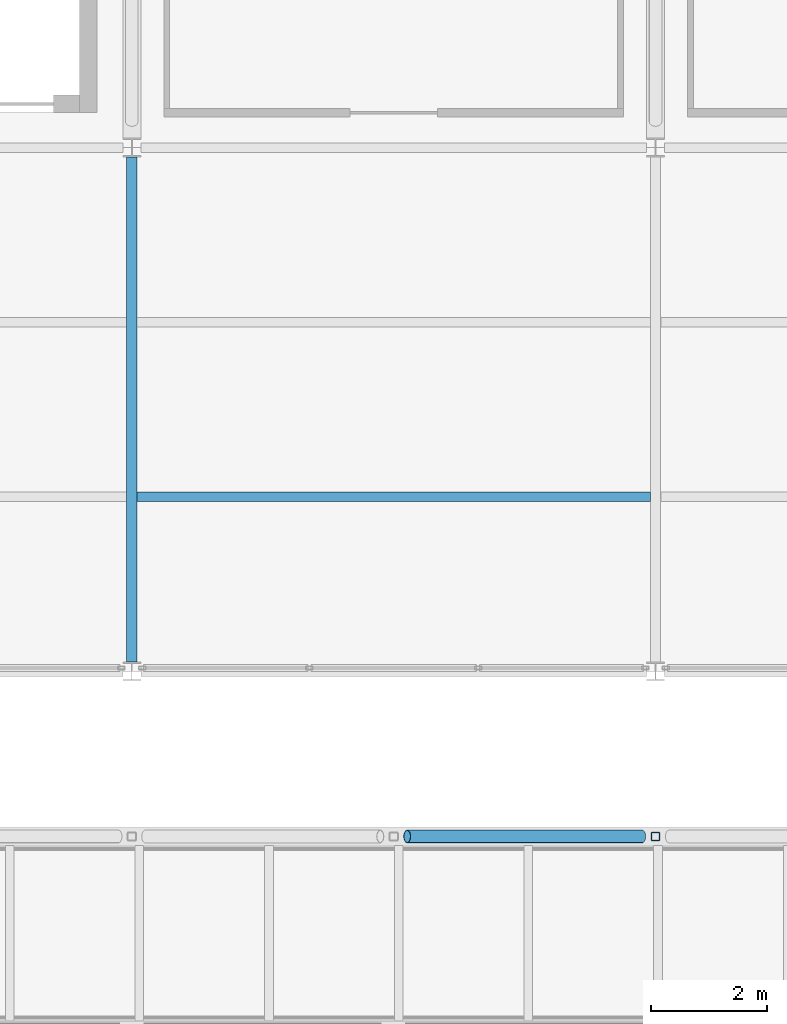
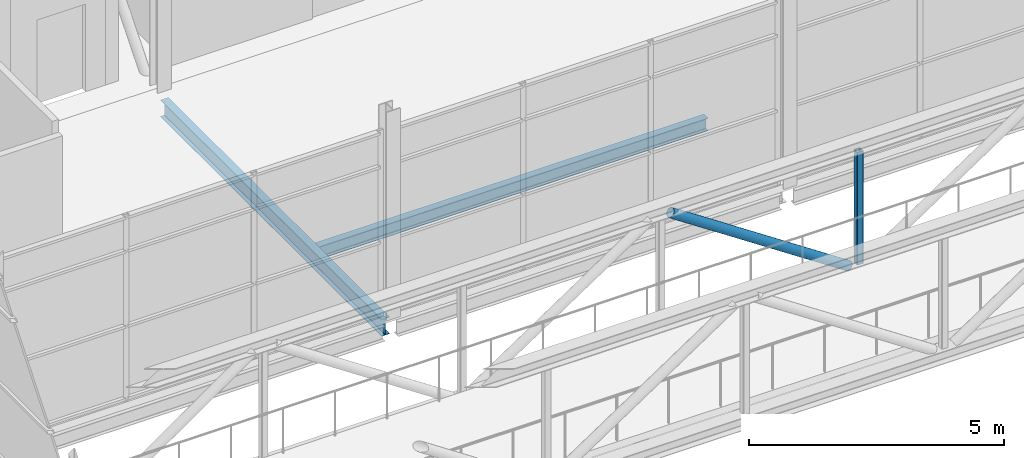
# One storey, part 29 of 94: 2 beams, 2 members.
"""IFC4 building model written with IfcOpenShell, lengths in metres."""

import ifcopenshell
import ifcopenshell.guid

model = None  # the IFC model being written
_history = None  # IfcOwnerHistory: only IFC2X3 demands one
_inside = {}  # id of a spatial element -> (the spatial element, [elements in it])
_under = {}  # id of a project, library or spatial element -> (it, [spatial elements below it])
_declared = {}  # id of a project -> (the project, [libraries it declares])
_typed = {}  # id of a type object -> (the type object, [elements of that type])
_made_of = {}  # id of a material, layer set ... -> (it, [elements and type objects made of it])


def new_model(schema):
    """Start an empty IFC model of exactly this schema.

    Asked for "IFC4X3", IfcOpenShell would pick the latest addendum, in which some entities
    have other attributes; the version numbers below select the first issue.
    IFC2X3 requires an IfcOwnerHistory on every rooted entity: one is made here for all.
    """
    global model, _history
    if schema == "IFC4X3":
        model = ifcopenshell.file(schema_version=(4, 3, 0, 0))
    else:
        model = ifcopenshell.file(schema=schema)
    _inside.clear()
    _under.clear()
    _declared.clear()
    _typed.clear()
    _made_of.clear()
    _history = None
    if model.schema == "IFC2X3":
        org = make("IfcOrganization", Name="unknown")
        user = make(
            "IfcPersonAndOrganization",
            ThePerson=make("IfcPerson", FamilyName="unknown"),
            TheOrganization=org,
        )
        app = make(
            "IfcApplication",
            ApplicationDeveloper=org,
            Version="unknown",
            ApplicationFullName="unknown",
            ApplicationIdentifier="unknown",
        )
        _history = make(
            "IfcOwnerHistory",
            OwningUser=user,
            OwningApplication=app,
            ChangeAction="ADDED",
            CreationDate=0,
        )
    return model


def make(cls, **values):
    """One entity of the class cls with the attributes given. An attribute that is None is left unset."""
    return model.create_entity(
        cls, **{name: value for name, value in values.items() if value is not None}
    )


def rooted(cls, **values):
    """An entity with a GlobalId (a new one), such as an element, a storey or a relation."""
    return make(cls, GlobalId=ifcopenshell.guid.new(), OwnerHistory=_history, **values)


def si_unit(unit_type, name, prefix=None):
    """IfcSIUnit, for example si_unit("LENGTHUNIT", "METRE", prefix="MILLI")."""
    return make("IfcSIUnit", UnitType=unit_type, Prefix=prefix, Name=name)


def assignment(units):
    """IfcUnitAssignment: the units of a project."""
    return None if units is None else make("IfcUnitAssignment", Units=units)


def point(xyz):
    """IfcCartesianPoint."""
    return None if xyz is None else make("IfcCartesianPoint", Coordinates=xyz)


def direction(xyz):
    """IfcDirection."""
    return None if xyz is None else make("IfcDirection", DirectionRatios=xyz)


def frame(location, z_axis=None, x_axis=None):
    """IfcAxis2Placement3D, a coordinate frame: its origin and axes. An axis left out is left unset."""
    return make(
        "IfcAxis2Placement3D",
        Location=point(location),
        Axis=direction(z_axis),
        RefDirection=direction(x_axis),
    )


def frame_2d(location, x_axis=None):
    """IfcAxis2Placement2D, a coordinate frame in the plane: its origin and x axis."""
    return make(
        "IfcAxis2Placement2D", Location=point(location), RefDirection=direction(x_axis)
    )


def origin():
    """The frame at (0, 0, 0) with its axes left unset."""
    return frame((0.0, 0.0, 0.0))


def origin_2d():
    """The frame at (0, 0) in the plane with its x axis left unset."""
    return frame_2d((0.0, 0.0))


def place(relative_to, where):
    """IfcLocalPlacement: puts the frame where relative to a parent placement (None: the world)."""
    return make(
        "IfcLocalPlacement", PlacementRelTo=relative_to, RelativePlacement=where
    )


def context(
    kind, dimensions, precision=None, world=None, true_north=None, identifier=None
):
    """IfcGeometricRepresentationContext, for example the 3D "Model" context."""
    return make(
        "IfcGeometricRepresentationContext",
        ContextIdentifier=identifier,
        ContextType=kind,
        CoordinateSpaceDimension=dimensions,
        Precision=precision,
        WorldCoordinateSystem=world,
        TrueNorth=true_north,
    )


def subcontext(parent, identifier, kind, view, scale=None):
    """IfcGeometricRepresentationSubContext, for example "Body" below "Model"."""
    return make(
        "IfcGeometricRepresentationSubContext",
        ContextIdentifier=identifier,
        ContextType=kind,
        ParentContext=parent,
        TargetScale=scale,
        TargetView=view,
    )


def project(units=None, contexts=None):
    """IfcProject with its units and contexts."""
    return rooted(
        "IfcProject",
        Name="project",
        RepresentationContexts=contexts,
        UnitsInContext=assignment(units),
    )


def spatial(cls, under=None, at=None, **own):
    """A site, building, storey or space (cls), placed at a placement, below another one or the project."""
    s = rooted(cls, ObjectPlacement=at, **own)
    if under is not None:
        _under.setdefault(under.id(), (under, []))[1].append(s)
    return s


def profile(cls, at=None, kind="AREA", **sizes):
    """A parametric profile (cls). Its sizes go by their IFC names, for example OverallWidth=200.0."""
    return make(cls, ProfileType=kind, Position=at, **sizes)


def hollow_rectangle(**sizes):
    """IfcRectangleHollowProfileDef."""
    return profile("IfcRectangleHollowProfileDef", **sizes)


def hollow_circle(**sizes):
    """IfcCircleHollowProfileDef."""
    return profile("IfcCircleHollowProfileDef", **sizes)


def i_section(**sizes):
    """IfcIShapeProfileDef."""
    return profile("IfcIShapeProfileDef", **sizes)


def extrude(swept, where, along, depth):
    """IfcExtrudedAreaSolid: the profile swept, set in the frame where, extruded along a direction by depth."""
    return make(
        "IfcExtrudedAreaSolid",
        SweptArea=swept,
        Position=where,
        ExtrudedDirection=direction(along),
        Depth=depth,
    )


def shape(context_of_items, identifier, shape_type, items):
    """IfcShapeRepresentation: the items that make up one representation, for example the "Body"."""
    return make(
        "IfcShapeRepresentation",
        ContextOfItems=context_of_items,
        RepresentationIdentifier=identifier,
        RepresentationType=shape_type,
        Items=items,
    )


def material(Name=None, Category=None):
    """IfcMaterial."""
    return make("IfcMaterial", Name=Name, Category=Category)


def material_profile(
    of_material, cross_section, Name=None, Category=None, Priority=None
):
    """IfcMaterialProfile: a cross section and its material."""
    return make(
        "IfcMaterialProfile",
        Name=Name,
        Material=of_material,
        Profile=cross_section,
        Priority=Priority,
        Category=Category,
    )


def profile_set(profiles, Name=None, composite=None):
    """IfcMaterialProfileSet."""
    return make(
        "IfcMaterialProfileSet",
        Name=Name,
        MaterialProfiles=profiles,
        CompositeProfile=composite,
    )


def made_of(thing, what):
    """Note that an element or type object is made of a material, layer set ...; save() writes the relation."""
    if what is not None:
        _made_of.setdefault(what.id(), (what, []))[1].append(thing)
    return thing


def type_object(cls, material=None, **own):
    """A type object (cls), such as IfcWallType, which elements share."""
    return made_of(rooted(cls, **own), material)


def element(
    cls,
    number,
    at=None,
    inside=None,
    cuts=None,
    type_object=None,
    material=None,
    context=None,
    identifier="Body",
    shape_type=None,
    held_by="IfcProductDefinitionShape",
    body=None,
    shapes=None,
    **own,
):
    """One element of the class cls, such as IfcWall. Its Tag is "e" and its number.

    at: its placement. inside: the storey or other place that contains it. cuts: it is an
    opening in that element (IfcRelVoidsElement). A single representation is given by context,
    identifier, shape_type and body (its items); several are given by shapes. held_by: the class
    of the entity that holds the representations. save() writes the other relations.
    """
    e = rooted(cls, Tag="e%d" % number, ObjectPlacement=at, **own)
    if body is not None:
        shapes = [shape(context, identifier, shape_type, body)]
    if shapes is not None:
        e.Representation = make(held_by, Representations=shapes)
    if inside is not None:
        _inside.setdefault(inside.id(), (inside, []))[1].append(e)
    if cuts is not None:
        rooted(
            "IfcRelVoidsElement", RelatingBuildingElement=cuts, RelatedOpeningElement=e
        )
    if type_object is not None:
        _typed.setdefault(type_object.id(), (type_object, []))[1].append(e)
    return made_of(e, material)


def aggregate(whole, parts):
    """IfcRelAggregates: a whole, such as a stair, and the parts it consists of."""
    return rooted("IfcRelAggregates", RelatingObject=whole, RelatedObjects=parts)


def save(model, path):
    """Write the relations noted so far, then the file.

    IfcRelAggregates (storeys below a building ...), IfcRelContainedInSpatialStructure (elements
    in a storey), IfcRelDefinesByType, IfcRelAssociatesMaterial and IfcRelDeclares: one each for
    every whole, place, type object, material and project.
    """
    for whole, parts in _under.values():
        aggregate(whole, parts)
    for where, things in _inside.values():
        rooted(
            "IfcRelContainedInSpatialStructure",
            RelatedElements=things,
            RelatingStructure=where,
        )
    for kind, things in _typed.values():
        rooted("IfcRelDefinesByType", RelatedObjects=things, RelatingType=kind)
    for what, things in _made_of.values():
        rooted("IfcRelAssociatesMaterial", RelatedObjects=things, RelatingMaterial=what)
    for by, libraries in _declared.values():
        rooted("IfcRelDeclares", RelatingContext=by, RelatedDefinitions=libraries)
    model.write(path)


model = new_model("IFC4")

# Units and contexts
model_context = context("Model", 3, precision=1e-05, world=origin(), true_north=direction((0.0, 1.0)))
body_context = subcontext(model_context, "Body", "Model", "MODEL_VIEW")
ifc_project = project(units=[si_unit("LENGTHUNIT", "METRE"), si_unit("AREAUNIT", "SQUARE_METRE"), si_unit("VOLUMEUNIT", "CUBIC_METRE"), si_unit("PLANEANGLEUNIT", "RADIAN"), si_unit("MASSUNIT", "GRAM", prefix="KILO")], contexts=[model_context])

# Site, building, storey
site_placement = place(None, origin())
site = spatial("IfcSite", under=ifc_project, at=site_placement, CompositionType="ELEMENT")
building_placement = place(site_placement, origin())
building = spatial("IfcBuilding", under=site, at=building_placement, Name="Shorebreak Coast Museum", CompositionType="ELEMENT")
storey_placement = place(building_placement, frame((0.0, 0.0, 31.0)))
storey = spatial("IfcBuildingStorey", under=building, at=storey_placement, Name="L05", CompositionType="ELEMENT", Elevation=31.0)

# Members
ifc_material_1 = material(Name="Steel Grade C350L0", Category="steel")
ifc_material_profile_1 = material_profile(ifc_material_1, hollow_circle(Radius=0.109619140625, WallThickness=0.00830078125, at=origin_2d()), Name="219.1x8.2 CHS")
ifc_profile_set_1 = profile_set([ifc_material_profile_1], Name="Steel Grade C350L0")
member_type_1 = type_object("IfcMemberType", Name="Atrium bridge truss diagonal 219.1x8.2 CHS", PredefinedType="BRACE", material=ifc_profile_set_1)
member_1_placement = place(storey_placement, frame((80.76904296875, 78.16259765625, -0.175048828125), z_axis=(-0.832042555046, 0.0, 0.554711804987), x_axis=(0.0, -1.0, 0.0)))
element("IfcMember", 1, at=member_1_placement, inside=storey, type_object=member_type_1, Name="Atrium bridge truss BR3 side B diagonal D04", PredefinedType="BRACE", context=body_context, shape_type="SweptSolid", body=[
    extrude(hollow_circle(Radius=0.109619140625, WallThickness=0.00830078125, at=origin_2d()), origin(), (0.0, 0.0, 1.0), 4.853271484375),
])
ifc_material_2 = material(Name="Steel Grade C450L0", Category="steel")
ifc_material_profile_2 = material_profile(ifc_material_2, hollow_rectangle(XDim=0.14990234375, YDim=0.14990234375, WallThickness=0.009033203125, InnerFilletRadius=0.013427734375, OuterFilletRadius=0.0224609375, at=origin_2d()), Name="150x150x9.0 SHS")
ifc_profile_set_2 = profile_set([ifc_material_profile_2], Name="Steel Grade C450L0")
member_type_2 = type_object("IfcMemberType", Name="Atrium bridge truss strut 150x150x9.0 SHS", PredefinedType="STRUT", material=ifc_profile_set_2)
member_2_placement = place(storey_placement, frame((81.0, 78.16259765625, -0.175048828125), z_axis=(0.0, 0.0, 1.0), x_axis=(1.0, 0.0, 0.0)))
element("IfcMember", 2, at=member_2_placement, inside=storey, type_object=member_type_2, Name="Atrium bridge truss BR3 side B strut V05", PredefinedType="STRUT", context=body_context, shape_type="SweptSolid", body=[
    extrude(hollow_rectangle(XDim=0.14990234375, YDim=0.14990234375, WallThickness=0.009033203125, InnerFilletRadius=0.013427734375, OuterFilletRadius=0.0224609375, at=origin_2d()), origin(), (0.0, 0.0, 1.0), 2.692138671875),
])

# Beams
ifc_material_3 = material(Name="Steel Grade 300", Category="steel")
ifc_material_profile_3 = material_profile(ifc_material_3, i_section(OverallWidth=0.177978515625, OverallDepth=0.406494140625, WebThickness=0.0078125, FlangeThickness=0.0126953125, FilletRadius=0.011474609375, at=origin_2d()), Name="410UB59.7")
ifc_profile_set_3 = profile_set([ifc_material_profile_3], Name="Steel Grade 300")
beam_type_1 = type_object("IfcBeamType", Name="Floor girder north-south 410UB59.7", PredefinedType="BEAM", material=ifc_profile_set_3)
beam_1_placement = place(storey_placement, frame((72.0, 81.1572265625, -0.378173828125), z_axis=(0.0, 1.0, 0.0), x_axis=(-1.0, 0.0, 0.0)))
element("IfcBeam", 3, at=beam_1_placement, inside=storey, type_object=beam_type_1, Name="Floor girder north-south L05 9K", PredefinedType="BEAM", context=body_context, shape_type="SweptSolid", body=[
    extrude(i_section(OverallWidth=0.177978515625, OverallDepth=0.406494140625, WebThickness=0.0078125, FlangeThickness=0.0126953125, FilletRadius=0.011474609375, at=origin_2d()), origin(), (0.0, 0.0, 1.0), 8.67919921875),
])
ifc_material_4 = material(Name="Steel Grade 300", Category="steel")
ifc_material_profile_4 = material_profile(ifc_material_4, i_section(OverallWidth=0.1650390625, OverallDepth=0.303955078125, WebThickness=0.006103515625, FlangeThickness=0.01025390625, FilletRadius=0.011474609375, at=origin_2d()), Name="310UB40.4")
ifc_profile_set_4 = profile_set([ifc_material_profile_4], Name="Steel Grade 300")
beam_type_2 = type_object("IfcBeamType", Name="Floor joist 310UB40.4", PredefinedType="JOIST", material=ifc_profile_set_4)
beam_2_placement = place(storey_placement, frame((72.089111328125, 84.0, -0.326904296875), z_axis=(1.0, 0.0, 0.0), x_axis=(0.0, 1.0, 0.0)))
element("IfcBeam", 4, at=beam_2_placement, inside=storey, type_object=beam_type_2, Name="Floor joist L05 bay 9K at 3000 mm", PredefinedType="JOIST", context=body_context, shape_type="SweptSolid", body=[
    extrude(i_section(OverallWidth=0.1650390625, OverallDepth=0.303955078125, WebThickness=0.006103515625, FlangeThickness=0.01025390625, FilletRadius=0.011474609375, at=origin_2d()), origin(), (0.0, 0.0, 1.0), 8.82177734375),
])

save(model, "model.ifc")
